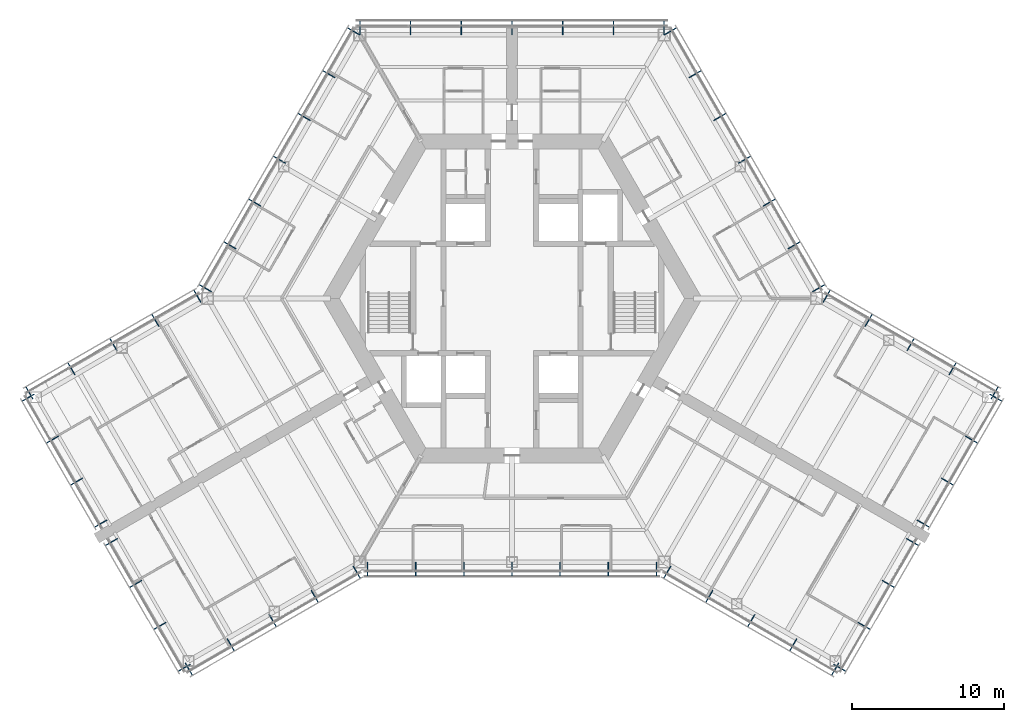
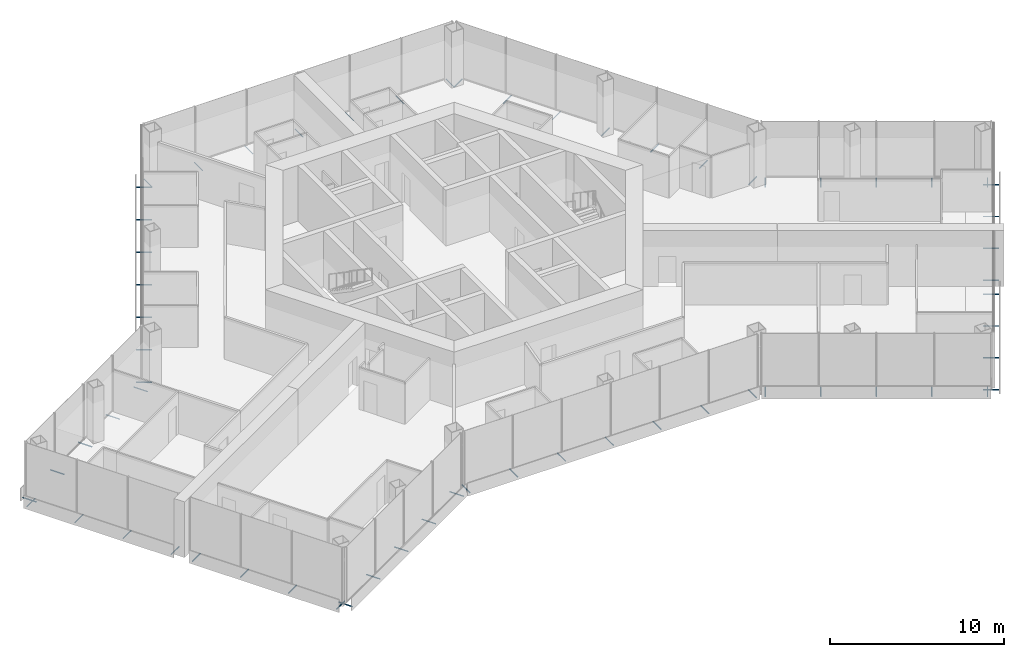
# One storey, part 16 of 18: 64 discrete accessories.
"""IFC4 building model written with IfcOpenShell, lengths in metres."""

from ifc_helpers import new_model, si_unit, direction, frame, origin, origin_2d, place, context, subcontext, project, spatial, hollow_circle, extrude, material, material_profile, profile_set, type_object, element, save


model = new_model("IFC4")

# Units and contexts
model_context = context("Model", 3, precision=1e-05, world=origin(), true_north=direction((0.0, 1.0)))
body_context = subcontext(model_context, "Body", "Model", "MODEL_VIEW")
ifc_project = project(units=[si_unit("LENGTHUNIT", "METRE"), si_unit("AREAUNIT", "SQUARE_METRE"), si_unit("VOLUMEUNIT", "CUBIC_METRE"), si_unit("PLANEANGLEUNIT", "RADIAN"), si_unit("MASSUNIT", "GRAM", prefix="KILO")], contexts=[model_context])

# Site, building, storey
site_placement = place(None, origin())
site = spatial("IfcSite", under=ifc_project, at=site_placement, CompositionType="ELEMENT")
building_placement = place(site_placement, origin())
building = spatial("IfcBuilding", under=site, at=building_placement, Name="Kasaneha Research Tower", CompositionType="ELEMENT")
storey_placement = place(building_placement, frame((0.0, 0.0, 179.89990234375)))
storey = spatial("IfcBuildingStorey", under=building, at=storey_placement, Name="L45", CompositionType="ELEMENT", Elevation=179.89990234375)

# Discrete accessories
ifc_material = material(Name="Steel STK400", Category="steel")
ifc_material_profile = material_profile(ifc_material, hollow_circle(Radius=0.0380859375, WallThickness=0.00390625, at=origin_2d()), Name="CHS-76.3x4.0")
ifc_profile_set = profile_set([ifc_material_profile], Name="Steel STK400")
discrete_accessory_type = type_object("IfcDiscreteAccessoryType", Name="Screen bracket CHS-76.3x4.0", PredefinedType="BRACKET", material=ifc_profile_set)
for number, where, z_axis, x_axis, name in (
    (1, (-9.4892578125, -17.320556640625, -0.2998046875), (0.0, -1.0, 0.0), (1.0, 0.0, 0.0), "Screen bracket 1"),
    (2, (-6.326171875, -17.320556640625, -0.2998046875), (0.0, -1.0, 0.0), (1.0, 0.0, 0.0), "Screen bracket 2"),
    (3, (-3.1630859375, -17.320556640625, -0.2998046875), (0.0, -1.0, 0.0), (1.0, 0.0, 0.0), "Screen bracket 3"),
    (4, (0.0, -17.320556640625, -0.2998046875), (0.0, -1.0, 0.0), (1.0, 0.0, 0.0), "Screen bracket 4"),
    (5, (3.1630859375, -17.320556640625, -0.2998046875), (0.0, -1.0, 0.0), (1.0, 0.0, 0.0), "Screen bracket 5"),
    (6, (6.326171875, -17.320556640625, -0.2998046875), (0.0, -1.0, 0.0), (1.0, 0.0, 0.0), "Screen bracket 6"),
    (7, (9.4892578125, -17.320556640625, -0.2998046875), (0.0, -1.0, 0.0), (1.0, 0.0, 0.0), "Screen bracket 7"),
    (8, (10.4423828125, -17.575927734375, -0.2998046875), (-0.500021113727, -0.866013213425, 0.0), (0.866013213425, -0.500021113727, 0.0), "Screen bracket 1"),
):
    element("IfcDiscreteAccessory", number, at=place(storey_placement, frame(where, z_axis=z_axis, x_axis=x_axis)), inside=storey, type_object=discrete_accessory_type, Name=name, PredefinedType="BRACKET", context=body_context, shape_type="SweptSolid", body=[
        extrude(hollow_circle(Radius=0.0380859375, WallThickness=0.00390625, at=origin_2d()), origin(), (0.0, 0.0, 1.0), 0.919921875),
    ])
discrete_accessory_1_placement = place(storey_placement, frame((13.200439453125, -19.168212890625, -0.2998046875), z_axis=(-0.499906209203, -0.866079547155, 0.0), x_axis=(0.866079547155, -0.499906209203, 0.0)))
element("IfcDiscreteAccessory", 9, at=discrete_accessory_1_placement, inside=storey, type_object=discrete_accessory_type, Name="Screen bracket 2", PredefinedType="BRACKET", context=body_context, shape_type="SweptSolid", body=[
    extrude(hollow_circle(Radius=0.0380859375, WallThickness=0.00390625, at=origin_2d()), origin(), (0.0, 0.0, 1.0), 0.920166015625),
])
discrete_accessory_2_placement = place(storey_placement, frame((15.95849609375, -20.7607421875, -0.2998046875), z_axis=(-0.500021113727, -0.866013213425, 0.0), x_axis=(0.866013213425, -0.500021113727, 0.0)))
element("IfcDiscreteAccessory", 10, at=discrete_accessory_2_placement, inside=storey, type_object=discrete_accessory_type, Name="Screen bracket 3", PredefinedType="BRACKET", context=body_context, shape_type="SweptSolid", body=[
    extrude(hollow_circle(Radius=0.0380859375, WallThickness=0.00390625, at=origin_2d()), origin(), (0.0, 0.0, 1.0), 0.919921875),
])
discrete_accessory_3_placement = place(storey_placement, frame((18.716796875, -22.35302734375, -0.2998046875), z_axis=(-0.500105201737, -0.865964657013, 0.0), x_axis=(0.865964657013, -0.500105201737, 0.0)))
element("IfcDiscreteAccessory", 11, at=discrete_accessory_3_placement, inside=storey, type_object=discrete_accessory_type, Name="Screen bracket 4", PredefinedType="BRACKET", context=body_context, shape_type="SweptSolid", body=[
    extrude(hollow_circle(Radius=0.0380859375, WallThickness=0.00390625, at=origin_2d()), origin(), (0.0, 0.0, 1.0), 0.920166015625),
])
discrete_accessory_4_placement = place(storey_placement, frame((21.474853515625, -23.945556640625, -0.2998046875), z_axis=(-0.500021113727, -0.866013213425, 0.0), x_axis=(0.866013213425, -0.500021113727, 0.0)))
element("IfcDiscreteAccessory", 12, at=discrete_accessory_4_placement, inside=storey, type_object=discrete_accessory_type, Name="Screen bracket 5", PredefinedType="BRACKET", context=body_context, shape_type="SweptSolid", body=[
    extrude(hollow_circle(Radius=0.0380859375, WallThickness=0.00390625, at=origin_2d()), origin(), (0.0, 0.0, 1.0), 0.919921875),
])
discrete_accessory_5_placement = place(storey_placement, frame((21.13330078125, -24.037109375, -0.2998046875), z_axis=(0.866079547155, -0.499906209203, 0.0), x_axis=(0.499906209203, 0.866079547155, 0.0)))
element("IfcDiscreteAccessory", 13, at=discrete_accessory_5_placement, inside=storey, type_object=discrete_accessory_type, Name="Screen bracket 1", PredefinedType="BRACKET", context=body_context, shape_type="SweptSolid", body=[
    extrude(hollow_circle(Radius=0.0380859375, WallThickness=0.00390625, at=origin_2d()), origin(), (0.0, 0.0, 1.0), 0.920166015625),
])
discrete_accessory_6_placement = place(storey_placement, frame((22.72509765625, -21.2802734375, -0.2998046875), z_axis=(0.866013213425, -0.500021113727, 0.0), x_axis=(0.500021113727, 0.866013213425, 0.0)))
element("IfcDiscreteAccessory", 14, at=discrete_accessory_6_placement, inside=storey, type_object=discrete_accessory_type, Name="Screen bracket 2", PredefinedType="BRACKET", context=body_context, shape_type="SweptSolid", body=[
    extrude(hollow_circle(Radius=0.0380859375, WallThickness=0.00390625, at=origin_2d()), origin(), (0.0, 0.0, 1.0), 0.919921875),
])
discrete_accessory_7_placement = place(storey_placement, frame((24.316650390625, -18.5234375, -0.2998046875), z_axis=(0.866079547155, -0.499906209203, 0.0), x_axis=(0.499906209203, 0.866079547155, 0.0)))
element("IfcDiscreteAccessory", 15, at=discrete_accessory_7_placement, inside=storey, type_object=discrete_accessory_type, Name="Screen bracket 3", PredefinedType="BRACKET", context=body_context, shape_type="SweptSolid", body=[
    extrude(hollow_circle(Radius=0.0380859375, WallThickness=0.00390625, at=origin_2d()), origin(), (0.0, 0.0, 1.0), 0.920166015625),
])
for number, where, z_axis, x_axis, name in (
    (16, (25.908447265625, -15.766357421875, -0.2998046875), (0.865898279276, -0.500220121494, 0.0), (0.500220121494, 0.865898279276, 0.0), "Screen bracket 4"),
    (17, (26.6083984375, -14.553955078125, -0.2998046875), (0.866013213425, -0.500021113727, 0.0), (0.500021113727, 0.866013213425, 0.0), "Screen bracket 1"),
):
    element("IfcDiscreteAccessory", number, at=place(storey_placement, frame(where, z_axis=z_axis, x_axis=x_axis)), inside=storey, type_object=discrete_accessory_type, Name=name, PredefinedType="BRACKET", context=body_context, shape_type="SweptSolid", body=[
        extrude(hollow_circle(Radius=0.0380859375, WallThickness=0.00390625, at=origin_2d()), origin(), (0.0, 0.0, 1.0), 0.919921875),
    ])
discrete_accessory_8_placement = place(storey_placement, frame((28.199951171875, -11.797119140625, -0.2998046875), z_axis=(0.866079547155, -0.499906209203, 0.0), x_axis=(0.499906209203, 0.866079547155, 0.0)))
element("IfcDiscreteAccessory", 18, at=discrete_accessory_8_placement, inside=storey, type_object=discrete_accessory_type, Name="Screen bracket 2", PredefinedType="BRACKET", context=body_context, shape_type="SweptSolid", body=[
    extrude(hollow_circle(Radius=0.0380859375, WallThickness=0.00390625, at=origin_2d()), origin(), (0.0, 0.0, 1.0), 0.920166015625),
])
discrete_accessory_9_placement = place(storey_placement, frame((29.791748046875, -9.040283203125, -0.2998046875), z_axis=(0.866013213425, -0.500021113727, 0.0), x_axis=(0.500021113727, 0.866013213425, 0.0)))
element("IfcDiscreteAccessory", 19, at=discrete_accessory_9_placement, inside=storey, type_object=discrete_accessory_type, Name="Screen bracket 3", PredefinedType="BRACKET", context=body_context, shape_type="SweptSolid", body=[
    extrude(hollow_circle(Radius=0.0380859375, WallThickness=0.00390625, at=origin_2d()), origin(), (0.0, 0.0, 1.0), 0.919921875),
])
discrete_accessory_10_placement = place(storey_placement, frame((31.38330078125, -6.283447265625, -0.2998046875), z_axis=(0.866079547155, -0.499906209203, 0.0), x_axis=(0.499906209203, 0.866079547155, 0.0)))
element("IfcDiscreteAccessory", 20, at=discrete_accessory_10_placement, inside=storey, type_object=discrete_accessory_type, Name="Screen bracket 4", PredefinedType="BRACKET", context=body_context, shape_type="SweptSolid", body=[
    extrude(hollow_circle(Radius=0.0380859375, WallThickness=0.00390625, at=origin_2d()), origin(), (0.0, 0.0, 1.0), 0.920166015625),
])
discrete_accessory_11_placement = place(storey_placement, frame((31.474853515625, -6.625, -0.2998046875), z_axis=(0.500021113727, 0.866013213425, 0.0), x_axis=(-0.866013213425, 0.500021113727, 0.0)))
element("IfcDiscreteAccessory", 21, at=discrete_accessory_11_placement, inside=storey, type_object=discrete_accessory_type, Name="Screen bracket 1", PredefinedType="BRACKET", context=body_context, shape_type="SweptSolid", body=[
    extrude(hollow_circle(Radius=0.0380859375, WallThickness=0.00390625, at=origin_2d()), origin(), (0.0, 0.0, 1.0), 0.919921875),
])
discrete_accessory_12_placement = place(storey_placement, frame((28.716796875, -5.03271484375, -0.2998046875), z_axis=(0.499906209203, 0.866079547155, 0.0), x_axis=(-0.866079547155, 0.499906209203, 0.0)))
element("IfcDiscreteAccessory", 22, at=discrete_accessory_12_placement, inside=storey, type_object=discrete_accessory_type, Name="Screen bracket 2", PredefinedType="BRACKET", context=body_context, shape_type="SweptSolid", body=[
    extrude(hollow_circle(Radius=0.0380859375, WallThickness=0.00390625, at=origin_2d()), origin(), (0.0, 0.0, 1.0), 0.920166015625),
])
discrete_accessory_13_placement = place(storey_placement, frame((25.95849609375, -3.440185546875, -0.2998046875), z_axis=(0.500220121494, 0.865898279276, 0.0), x_axis=(-0.865898279276, 0.500220121494, 0.0)))
element("IfcDiscreteAccessory", 23, at=discrete_accessory_13_placement, inside=storey, type_object=discrete_accessory_type, Name="Screen bracket 3", PredefinedType="BRACKET", context=body_context, shape_type="SweptSolid", body=[
    extrude(hollow_circle(Radius=0.0380859375, WallThickness=0.00390625, at=origin_2d()), origin(), (0.0, 0.0, 1.0), 0.919921875),
])
discrete_accessory_14_placement = place(storey_placement, frame((23.200439453125, -1.847900390625, -0.2998046875), z_axis=(0.499906209203, 0.866079547155, 0.0), x_axis=(-0.866079547155, 0.499906209203, 0.0)))
element("IfcDiscreteAccessory", 24, at=discrete_accessory_14_placement, inside=storey, type_object=discrete_accessory_type, Name="Screen bracket 4", PredefinedType="BRACKET", context=body_context, shape_type="SweptSolid", body=[
    extrude(hollow_circle(Radius=0.0380859375, WallThickness=0.00390625, at=origin_2d()), origin(), (0.0, 0.0, 1.0), 0.920166015625),
])
for number, where, z_axis, x_axis, name in (
    (25, (20.4423828125, -0.25537109375, -0.2998046875), (0.500021113727, 0.866013213425, 0.0), (-0.866013213425, 0.500021113727, 0.0), "Screen bracket 5"),
    (26, (19.74462890625, 0.4423828125, -0.2998046875), (0.866013213425, 0.500021113727, 0.0), (-0.500021113727, 0.866013213425, 0.0), "Screen bracket 1"),
    (27, (18.120849609375, 3.2548828125, -0.2998046875), (0.866013213425, 0.500021113727, 0.0), (-0.500021113727, 0.866013213425, 0.0), "Screen bracket 2"),
    (28, (16.4970703125, 6.0673828125, -0.2998046875), (0.866013213425, 0.500021113727, 0.0), (-0.500021113727, 0.866013213425, 0.0), "Screen bracket 3"),
    (29, (14.873291015625, 8.8798828125, -0.2998046875), (0.866013213425, 0.500021113727, 0.0), (-0.500021113727, 0.866013213425, 0.0), "Screen bracket 4"),
    (30, (13.24951171875, 11.6923828125, -0.2998046875), (0.866013213425, 0.500021113727, 0.0), (-0.500021113727, 0.866013213425, 0.0), "Screen bracket 5"),
):
    element("IfcDiscreteAccessory", number, at=place(storey_placement, frame(where, z_axis=z_axis, x_axis=x_axis)), inside=storey, type_object=discrete_accessory_type, Name=name, PredefinedType="BRACKET", context=body_context, shape_type="SweptSolid", body=[
        extrude(hollow_circle(Radius=0.0380859375, WallThickness=0.00390625, at=origin_2d()), origin(), (0.0, 0.0, 1.0), 0.919921875),
    ])
for number, where, z_axis, x_axis, name in (
    (31, (11.62548828125, 14.5048828125, -0.2998046875), (0.866079547155, 0.499906209203, 0.0), (-0.499906209203, 0.866079547155, 0.0), "Screen bracket 6"),
    (32, (10.001708984375, 17.3173828125, -0.2998046875), (0.866079547155, 0.499906209203, 0.0), (-0.499906209203, 0.866079547155, 0.0), "Screen bracket 7"),
):
    element("IfcDiscreteAccessory", number, at=place(storey_placement, frame(where, z_axis=z_axis, x_axis=x_axis)), inside=storey, type_object=discrete_accessory_type, Name=name, PredefinedType="BRACKET", context=body_context, shape_type="SweptSolid", body=[
        extrude(hollow_circle(Radius=0.0380859375, WallThickness=0.00390625, at=origin_2d()), origin(), (0.0, 0.0, 1.0), 0.920166015625),
    ])
for number, where, z_axis, x_axis, name in (
    (33, (9.996337890625, 17.320556640625, -0.2998046875), (0.0, 1.0, 0.0), (-1.0, 0.0, 0.0), "Screen bracket 1"),
    (34, (6.664306640625, 17.320556640625, -0.2998046875), (0.0, 1.0, 0.0), (-1.0, 0.0, 0.0), "Screen bracket 2"),
    (35, (3.33203125, 17.320556640625, -0.2998046875), (0.0, 1.0, 0.0), (-1.0, 0.0, 0.0), "Screen bracket 3"),
    (36, (0.0, 17.320556640625, -0.2998046875), (0.0, 1.0, 0.0), (-1.0, 0.0, 0.0), "Screen bracket 4"),
    (37, (-3.33203125, 17.320556640625, -0.2998046875), (0.0, 1.0, 0.0), (-1.0, 0.0, 0.0), "Screen bracket 5"),
    (38, (-6.664306640625, 17.320556640625, -0.2998046875), (0.0, 1.0, 0.0), (-1.0, 0.0, 0.0), "Screen bracket 6"),
    (39, (-9.996337890625, 17.320556640625, -0.2998046875), (0.0, 1.0, 0.0), (-1.0, 0.0, 0.0), "Screen bracket 7"),
):
    element("IfcDiscreteAccessory", number, at=place(storey_placement, frame(where, z_axis=z_axis, x_axis=x_axis)), inside=storey, type_object=discrete_accessory_type, Name=name, PredefinedType="BRACKET", context=body_context, shape_type="SweptSolid", body=[
        extrude(hollow_circle(Radius=0.0380859375, WallThickness=0.00390625, at=origin_2d()), origin(), (0.0, 0.0, 1.0), 0.919921875),
    ])
for number, where, z_axis, x_axis, name in (
    (40, (-10.001708984375, 17.3173828125, -0.2998046875), (-0.866079547155, 0.499906209203, 0.0), (-0.499906209203, -0.866079547155, 0.0), "Screen bracket 1"),
    (41, (-11.62548828125, 14.5048828125, -0.2998046875), (-0.866079547155, 0.499906209203, 0.0), (-0.499906209203, -0.866079547155, 0.0), "Screen bracket 2"),
):
    element("IfcDiscreteAccessory", number, at=place(storey_placement, frame(where, z_axis=z_axis, x_axis=x_axis)), inside=storey, type_object=discrete_accessory_type, Name=name, PredefinedType="BRACKET", context=body_context, shape_type="SweptSolid", body=[
        extrude(hollow_circle(Radius=0.0380859375, WallThickness=0.00390625, at=origin_2d()), origin(), (0.0, 0.0, 1.0), 0.920166015625),
    ])
for number, where, z_axis, x_axis, name in (
    (42, (-13.24951171875, 11.6923828125, -0.2998046875), (-0.866013213425, 0.500021113727, 0.0), (-0.500021113727, -0.866013213425, 0.0), "Screen bracket 3"),
    (43, (-14.873291015625, 8.8798828125, -0.2998046875), (-0.866013213425, 0.500021113727, 0.0), (-0.500021113727, -0.866013213425, 0.0), "Screen bracket 4"),
    (44, (-16.4970703125, 6.0673828125, -0.2998046875), (-0.866013213425, 0.500021113727, 0.0), (-0.500021113727, -0.866013213425, 0.0), "Screen bracket 5"),
    (45, (-18.120849609375, 3.2548828125, -0.2998046875), (-0.866013213425, 0.500021113727, 0.0), (-0.500021113727, -0.866013213425, 0.0), "Screen bracket 6"),
    (46, (-19.74462890625, 0.4423828125, -0.2998046875), (-0.866013213425, 0.500021113727, 0.0), (-0.500021113727, -0.866013213425, 0.0), "Screen bracket 7"),
    (47, (-20.4423828125, -0.25537109375, -0.2998046875), (-0.500021113727, 0.866013213425, 0.0), (-0.866013213425, -0.500021113727, 0.0), "Screen bracket 1"),
):
    element("IfcDiscreteAccessory", number, at=place(storey_placement, frame(where, z_axis=z_axis, x_axis=x_axis)), inside=storey, type_object=discrete_accessory_type, Name=name, PredefinedType="BRACKET", context=body_context, shape_type="SweptSolid", body=[
        extrude(hollow_circle(Radius=0.0380859375, WallThickness=0.00390625, at=origin_2d()), origin(), (0.0, 0.0, 1.0), 0.919921875),
    ])
discrete_accessory_15_placement = place(storey_placement, frame((-23.200439453125, -1.847900390625, -0.2998046875), z_axis=(-0.499906209203, 0.866079547155, 0.0), x_axis=(-0.866079547155, -0.499906209203, 0.0)))
element("IfcDiscreteAccessory", 48, at=discrete_accessory_15_placement, inside=storey, type_object=discrete_accessory_type, Name="Screen bracket 2", PredefinedType="BRACKET", context=body_context, shape_type="SweptSolid", body=[
    extrude(hollow_circle(Radius=0.0380859375, WallThickness=0.00390625, at=origin_2d()), origin(), (0.0, 0.0, 1.0), 0.920166015625),
])
discrete_accessory_16_placement = place(storey_placement, frame((-25.95849609375, -3.440185546875, -0.2998046875), z_axis=(-0.500220121494, 0.865898279276, 0.0), x_axis=(-0.865898279276, -0.500220121494, 0.0)))
element("IfcDiscreteAccessory", 49, at=discrete_accessory_16_placement, inside=storey, type_object=discrete_accessory_type, Name="Screen bracket 3", PredefinedType="BRACKET", context=body_context, shape_type="SweptSolid", body=[
    extrude(hollow_circle(Radius=0.0380859375, WallThickness=0.00390625, at=origin_2d()), origin(), (0.0, 0.0, 1.0), 0.919921875),
])
discrete_accessory_17_placement = place(storey_placement, frame((-28.716796875, -5.03271484375, -0.2998046875), z_axis=(-0.499906209203, 0.866079547155, 0.0), x_axis=(-0.866079547155, -0.499906209203, 0.0)))
element("IfcDiscreteAccessory", 50, at=discrete_accessory_17_placement, inside=storey, type_object=discrete_accessory_type, Name="Screen bracket 4", PredefinedType="BRACKET", context=body_context, shape_type="SweptSolid", body=[
    extrude(hollow_circle(Radius=0.0380859375, WallThickness=0.00390625, at=origin_2d()), origin(), (0.0, 0.0, 1.0), 0.920166015625),
])
discrete_accessory_18_placement = place(storey_placement, frame((-31.474853515625, -6.625, -0.2998046875), z_axis=(-0.500021113727, 0.866013213425, 0.0), x_axis=(-0.866013213425, -0.500021113727, 0.0)))
element("IfcDiscreteAccessory", 51, at=discrete_accessory_18_placement, inside=storey, type_object=discrete_accessory_type, Name="Screen bracket 5", PredefinedType="BRACKET", context=body_context, shape_type="SweptSolid", body=[
    extrude(hollow_circle(Radius=0.0380859375, WallThickness=0.00390625, at=origin_2d()), origin(), (0.0, 0.0, 1.0), 0.919921875),
])
discrete_accessory_19_placement = place(storey_placement, frame((-31.38330078125, -6.283447265625, -0.2998046875), z_axis=(-0.866079547155, -0.499906209203, 0.0), x_axis=(0.499906209203, -0.866079547155, 0.0)))
element("IfcDiscreteAccessory", 52, at=discrete_accessory_19_placement, inside=storey, type_object=discrete_accessory_type, Name="Screen bracket 1", PredefinedType="BRACKET", context=body_context, shape_type="SweptSolid", body=[
    extrude(hollow_circle(Radius=0.0380859375, WallThickness=0.00390625, at=origin_2d()), origin(), (0.0, 0.0, 1.0), 0.920166015625),
])
discrete_accessory_20_placement = place(storey_placement, frame((-29.791748046875, -9.040283203125, -0.2998046875), z_axis=(-0.866013213425, -0.500021113727, 0.0), x_axis=(0.500021113727, -0.866013213425, 0.0)))
element("IfcDiscreteAccessory", 53, at=discrete_accessory_20_placement, inside=storey, type_object=discrete_accessory_type, Name="Screen bracket 2", PredefinedType="BRACKET", context=body_context, shape_type="SweptSolid", body=[
    extrude(hollow_circle(Radius=0.0380859375, WallThickness=0.00390625, at=origin_2d()), origin(), (0.0, 0.0, 1.0), 0.919921875),
])
discrete_accessory_21_placement = place(storey_placement, frame((-28.199951171875, -11.797119140625, -0.2998046875), z_axis=(-0.866079547155, -0.499906209203, 0.0), x_axis=(0.499906209203, -0.866079547155, 0.0)))
element("IfcDiscreteAccessory", 54, at=discrete_accessory_21_placement, inside=storey, type_object=discrete_accessory_type, Name="Screen bracket 3", PredefinedType="BRACKET", context=body_context, shape_type="SweptSolid", body=[
    extrude(hollow_circle(Radius=0.0380859375, WallThickness=0.00390625, at=origin_2d()), origin(), (0.0, 0.0, 1.0), 0.920166015625),
])
for number, where, z_axis, x_axis, name in (
    (55, (-26.6083984375, -14.553955078125, -0.2998046875), (-0.866013213425, -0.500021113727, 0.0), (0.500021113727, -0.866013213425, 0.0), "Screen bracket 4"),
    (56, (-25.908447265625, -15.766357421875, -0.2998046875), (-0.865898279276, -0.500220121494, 0.0), (0.500220121494, -0.865898279276, 0.0), "Screen bracket 1"),
):
    element("IfcDiscreteAccessory", number, at=place(storey_placement, frame(where, z_axis=z_axis, x_axis=x_axis)), inside=storey, type_object=discrete_accessory_type, Name=name, PredefinedType="BRACKET", context=body_context, shape_type="SweptSolid", body=[
        extrude(hollow_circle(Radius=0.0380859375, WallThickness=0.00390625, at=origin_2d()), origin(), (0.0, 0.0, 1.0), 0.919921875),
    ])
discrete_accessory_22_placement = place(storey_placement, frame((-24.316650390625, -18.5234375, -0.2998046875), z_axis=(-0.866079547155, -0.499906209203, 0.0), x_axis=(0.499906209203, -0.866079547155, 0.0)))
element("IfcDiscreteAccessory", 57, at=discrete_accessory_22_placement, inside=storey, type_object=discrete_accessory_type, Name="Screen bracket 2", PredefinedType="BRACKET", context=body_context, shape_type="SweptSolid", body=[
    extrude(hollow_circle(Radius=0.0380859375, WallThickness=0.00390625, at=origin_2d()), origin(), (0.0, 0.0, 1.0), 0.920166015625),
])
discrete_accessory_23_placement = place(storey_placement, frame((-22.72509765625, -21.2802734375, -0.2998046875), z_axis=(-0.866013213425, -0.500021113727, 0.0), x_axis=(0.500021113727, -0.866013213425, 0.0)))
element("IfcDiscreteAccessory", 58, at=discrete_accessory_23_placement, inside=storey, type_object=discrete_accessory_type, Name="Screen bracket 3", PredefinedType="BRACKET", context=body_context, shape_type="SweptSolid", body=[
    extrude(hollow_circle(Radius=0.0380859375, WallThickness=0.00390625, at=origin_2d()), origin(), (0.0, 0.0, 1.0), 0.919921875),
])
discrete_accessory_24_placement = place(storey_placement, frame((-21.13330078125, -24.037109375, -0.2998046875), z_axis=(-0.866079547155, -0.499906209203, 0.0), x_axis=(0.499906209203, -0.866079547155, 0.0)))
element("IfcDiscreteAccessory", 59, at=discrete_accessory_24_placement, inside=storey, type_object=discrete_accessory_type, Name="Screen bracket 4", PredefinedType="BRACKET", context=body_context, shape_type="SweptSolid", body=[
    extrude(hollow_circle(Radius=0.0380859375, WallThickness=0.00390625, at=origin_2d()), origin(), (0.0, 0.0, 1.0), 0.920166015625),
])
discrete_accessory_25_placement = place(storey_placement, frame((-21.474853515625, -23.945556640625, -0.2998046875), z_axis=(0.500021113727, -0.866013213425, 0.0), x_axis=(0.866013213425, 0.500021113727, 0.0)))
element("IfcDiscreteAccessory", 60, at=discrete_accessory_25_placement, inside=storey, type_object=discrete_accessory_type, Name="Screen bracket 1", PredefinedType="BRACKET", context=body_context, shape_type="SweptSolid", body=[
    extrude(hollow_circle(Radius=0.0380859375, WallThickness=0.00390625, at=origin_2d()), origin(), (0.0, 0.0, 1.0), 0.919921875),
])
discrete_accessory_26_placement = place(storey_placement, frame((-18.716796875, -22.35302734375, -0.2998046875), z_axis=(0.500105201737, -0.865964657013, 0.0), x_axis=(0.865964657013, 0.500105201737, 0.0)))
element("IfcDiscreteAccessory", 61, at=discrete_accessory_26_placement, inside=storey, type_object=discrete_accessory_type, Name="Screen bracket 2", PredefinedType="BRACKET", context=body_context, shape_type="SweptSolid", body=[
    extrude(hollow_circle(Radius=0.0380859375, WallThickness=0.00390625, at=origin_2d()), origin(), (0.0, 0.0, 1.0), 0.920166015625),
])
discrete_accessory_27_placement = place(storey_placement, frame((-15.95849609375, -20.7607421875, -0.2998046875), z_axis=(0.500021113727, -0.866013213425, 0.0), x_axis=(0.866013213425, 0.500021113727, 0.0)))
element("IfcDiscreteAccessory", 62, at=discrete_accessory_27_placement, inside=storey, type_object=discrete_accessory_type, Name="Screen bracket 3", PredefinedType="BRACKET", context=body_context, shape_type="SweptSolid", body=[
    extrude(hollow_circle(Radius=0.0380859375, WallThickness=0.00390625, at=origin_2d()), origin(), (0.0, 0.0, 1.0), 0.919921875),
])
discrete_accessory_28_placement = place(storey_placement, frame((-13.200439453125, -19.168212890625, -0.2998046875), z_axis=(0.499906209203, -0.866079547155, 0.0), x_axis=(0.866079547155, 0.499906209203, 0.0)))
element("IfcDiscreteAccessory", 63, at=discrete_accessory_28_placement, inside=storey, type_object=discrete_accessory_type, Name="Screen bracket 4", PredefinedType="BRACKET", context=body_context, shape_type="SweptSolid", body=[
    extrude(hollow_circle(Radius=0.0380859375, WallThickness=0.00390625, at=origin_2d()), origin(), (0.0, 0.0, 1.0), 0.920166015625),
])
discrete_accessory_29_placement = place(storey_placement, frame((-10.4423828125, -17.575927734375, -0.2998046875), z_axis=(0.500021113727, -0.866013213425, 0.0), x_axis=(0.866013213425, 0.500021113727, 0.0)))
element("IfcDiscreteAccessory", 64, at=discrete_accessory_29_placement, inside=storey, type_object=discrete_accessory_type, Name="Screen bracket 5", PredefinedType="BRACKET", context=body_context, shape_type="SweptSolid", body=[
    extrude(hollow_circle(Radius=0.0380859375, WallThickness=0.00390625, at=origin_2d()), origin(), (0.0, 0.0, 1.0), 0.919921875),
])

save(model, "model.ifc")
